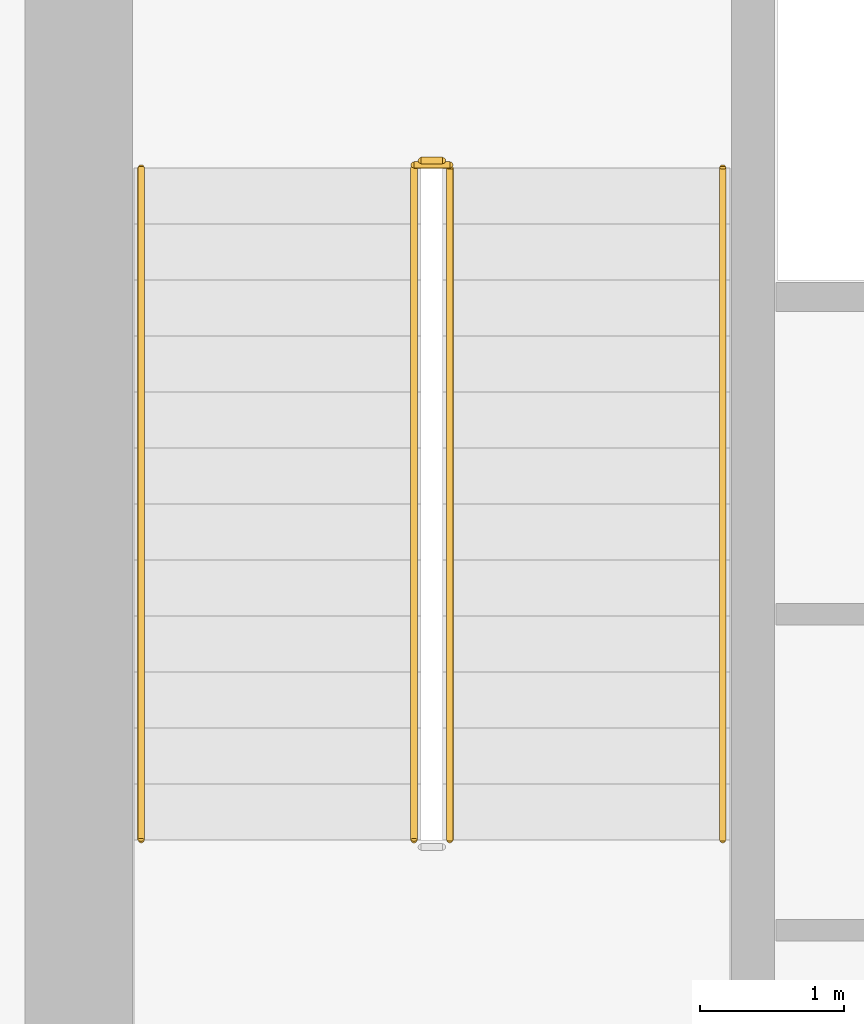
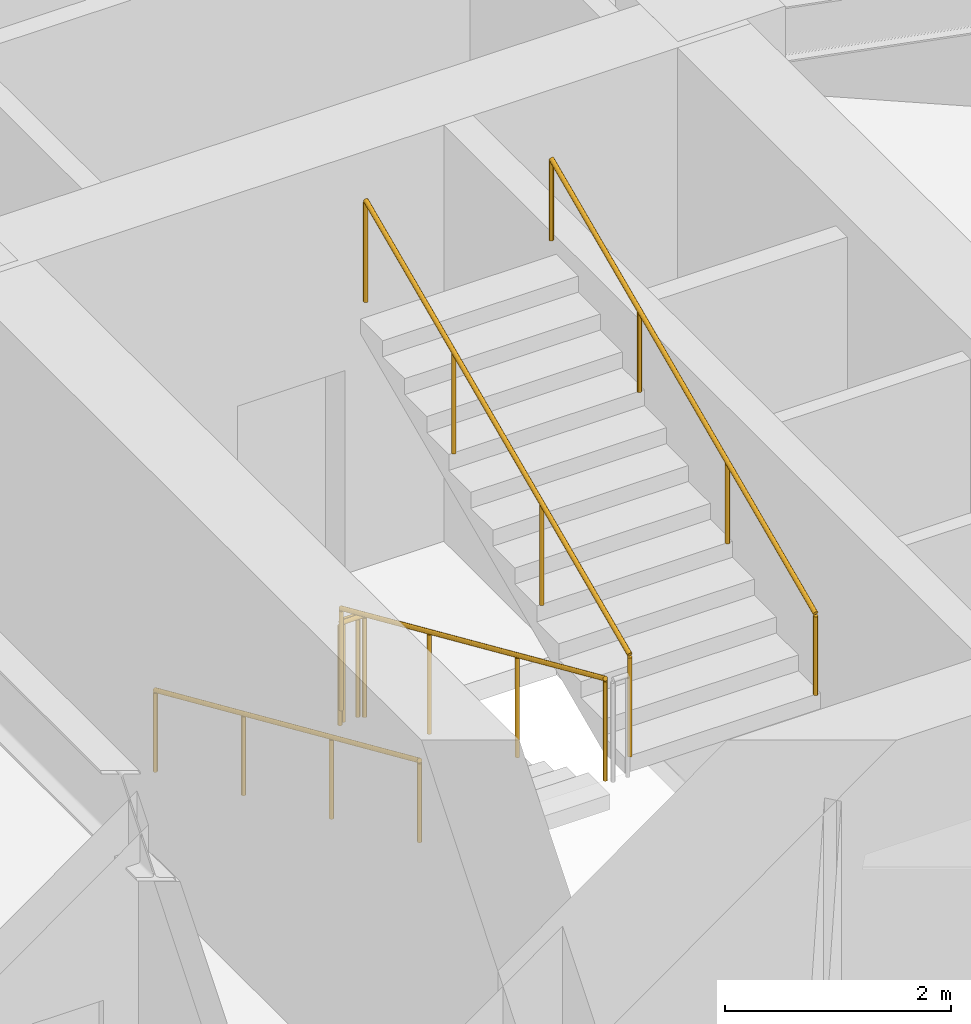
# One storey, part 24 of 27: 6 railings.
"""IFC4 building model written with IfcOpenShell, lengths in metres."""

from ifc_helpers import new_model, si_unit, direction, frame, origin, origin_2d, place, context, subcontext, project, spatial, circle, extrude, material, layer, layer_set, type_object, element, save


model = new_model("IFC4")

# Units and contexts
model_context = context("Model", 3, precision=1e-05, world=origin(), true_north=direction((0.0, 1.0)))
body_context = subcontext(model_context, "Body", "Model", "MODEL_VIEW")
ifc_project = project(units=[si_unit("LENGTHUNIT", "METRE"), si_unit("AREAUNIT", "SQUARE_METRE"), si_unit("VOLUMEUNIT", "CUBIC_METRE"), si_unit("PLANEANGLEUNIT", "RADIAN"), si_unit("MASSUNIT", "GRAM", prefix="KILO")], contexts=[model_context])

# Site, building, storey
site_placement = place(None, origin())
site = spatial("IfcSite", under=ifc_project, at=site_placement, CompositionType="ELEMENT")
building_placement = place(site_placement, origin())
building = spatial("IfcBuilding", under=site, at=building_placement, Name="Hatsunagi Terrace Concourse", CompositionType="ELEMENT")
storey_placement = place(building_placement, frame((0.0, 0.0, 70.10009765625)))
storey = spatial("IfcBuildingStorey", under=building, at=storey_placement, Name="L18", CompositionType="ELEMENT", Elevation=70.10009765625)

# Railings
ifc_material_1 = material(Name="Stainless steel", Category="steel")
ifc_layer_1 = layer(ifc_material_1, 0.044921875)
ifc_layer_set_1 = layer_set([ifc_layer_1], Name="StairPitchHandrail_Tower2000")
railing_type_1 = type_object("IfcRailingType", Name="StairPitchHandrail_Tower2000", PredefinedType="HANDRAIL", material=ifc_layer_set_1)
railing_1_placement = place(storey_placement, frame((36.550048828125, 32.659912109375, 0.173095703125)))
element("IfcRailing", 1, at=railing_1_placement, inside=storey, type_object=railing_type_1, Name="L18 ST-B stair handrail 1", PredefinedType="HANDRAIL", context=body_context, shape_type="SweptSolid", body=[
    extrude(circle(Radius=0.02392578125, at=origin_2d()), frame((0.0, 0.0, 0.8759765625), z_axis=(0.0, -0.914033604373, 0.405638472137), x_axis=(1.0, 0.0, 0.0)), (0.0, 0.0, 1.0), 5.1201171875),
    extrude(circle(Radius=0.02099609375, at=origin_2d()), origin(), (0.0, 0.0, 1.0), 0.851806640625),
    extrude(circle(Radius=0.02099609375, at=origin_2d()), frame((0.0, -1.56005859375, 0.6923828125)), (0.0, 0.0, 1.0), 0.851806640625),
    extrude(circle(Radius=0.02099609375, at=origin_2d()), frame((0.0, -3.119873046875, 1.384521484375)), (0.0, 0.0, 1.0), 0.851806640625),
    extrude(circle(Radius=0.02099609375, at=origin_2d()), frame((0.0, -4.679931640625, 2.076904296875)), (0.0, 0.0, 1.0), 0.851806640625),
])
railing_2_placement = place(storey_placement, frame((40.60009765625, 27.97998046875, 2.423095703125)))
element("IfcRailing", 2, at=railing_2_placement, inside=storey, type_object=railing_type_1, Name="L18 ST-B stair handrail 2", PredefinedType="HANDRAIL", context=body_context, shape_type="SweptSolid", body=[
    extrude(circle(Radius=0.02392578125, at=origin_2d()), frame((0.0, 0.0, 0.8759765625), z_axis=(0.0, 0.914033604373, 0.405638472137), x_axis=(-1.0, 0.0, 0.0)), (0.0, 0.0, 1.0), 5.1201171875),
    extrude(circle(Radius=0.02099609375, at=origin_2d()), origin(), (0.0, 0.0, 1.0), 0.851806640625),
    extrude(circle(Radius=0.02099609375, at=origin_2d()), frame((0.0, 1.56005859375, 0.6923828125)), (0.0, 0.0, 1.0), 0.851806640625),
    extrude(circle(Radius=0.02099609375, at=origin_2d()), frame((0.0, 3.119873046875, 1.384521484375)), (0.0, 0.0, 1.0), 0.851806640625),
    extrude(circle(Radius=0.02099609375, at=origin_2d()), frame((0.0, 4.679931640625, 2.076904296875)), (0.0, 0.0, 1.0), 0.851806640625),
])
ifc_material_2 = material(Name="Stainless steel", Category="steel")
ifc_layer_2 = layer(ifc_material_2, 0.06005859375)
ifc_layer_set_2 = layer_set([ifc_layer_2], Name="StairWellGuard_Tower2000")
railing_type_2 = type_object("IfcRailingType", Name="StairWellGuard_Tower2000", PredefinedType="BALUSTRADE", material=ifc_layer_set_2)
railing_3_placement = place(storey_placement, frame((38.449951171875, 32.659912109375, 0.173095703125)))
element("IfcRailing", 3, at=railing_3_placement, inside=storey, type_object=railing_type_2, Name="L18 ST-B stair guard 1", PredefinedType="BALUSTRADE", context=body_context, shape_type="SweptSolid", body=[
    extrude(circle(Radius=0.02392578125, at=origin_2d()), frame((0.0, 0.0, 1.09619140625), z_axis=(0.0, -0.914033604373, 0.405638472137), x_axis=(1.0, 0.0, 0.0)), (0.0, 0.0, 1.0), 5.1201171875),
    extrude(circle(Radius=0.02099609375, at=origin_2d()), origin(), (0.0, 0.0, 1.0), 1.072021484375),
    extrude(circle(Radius=0.02099609375, at=origin_2d()), frame((0.0, -1.56005859375, 0.6923828125)), (0.0, 0.0, 1.0), 1.072021484375),
    extrude(circle(Radius=0.02099609375, at=origin_2d()), frame((0.0, -3.119873046875, 1.384521484375)), (0.0, 0.0, 1.0), 1.072021484375),
    extrude(circle(Radius=0.02099609375, at=origin_2d()), frame((0.0, -4.679931640625, 2.076904296875)), (0.0, 0.0, 1.0), 1.072021484375),
])
railing_4_placement = place(storey_placement, frame((38.699951171875, 27.97998046875, 2.423095703125)))
element("IfcRailing", 4, at=railing_4_placement, inside=storey, type_object=railing_type_2, Name="L18 ST-B stair guard 3", PredefinedType="BALUSTRADE", context=body_context, shape_type="SweptSolid", body=[
    extrude(circle(Radius=0.02392578125, at=origin_2d()), frame((0.0, 0.0, 1.09619140625), z_axis=(0.0, 0.914033604373, 0.405638472137), x_axis=(-1.0, 0.0, 0.0)), (0.0, 0.0, 1.0), 5.1201171875),
    extrude(circle(Radius=0.02099609375, at=origin_2d()), origin(), (0.0, 0.0, 1.0), 1.072021484375),
    extrude(circle(Radius=0.02099609375, at=origin_2d()), frame((0.0, 1.56005859375, 0.6923828125)), (0.0, 0.0, 1.0), 1.072021484375),
    extrude(circle(Radius=0.02099609375, at=origin_2d()), frame((0.0, 3.119873046875, 1.384521484375)), (0.0, 0.0, 1.0), 1.072021484375),
    extrude(circle(Radius=0.02099609375, at=origin_2d()), frame((0.0, 4.679931640625, 2.076904296875)), (0.0, 0.0, 1.0), 1.072021484375),
])
railing_5_placement = place(storey_placement, frame((38.5, 32.7099609375, 0.0)))
element("IfcRailing", 5, at=railing_5_placement, inside=storey, type_object=railing_type_2, Name="L18 ST-B stair guard 4", PredefinedType="BALUSTRADE", context=body_context, shape_type="SweptSolid", body=[
    extrude(circle(Radius=0.02392578125, at=origin_2d()), frame((0.0, 0.0, 1.09619140625), z_axis=(1.0, 0.0, 0.0), x_axis=(0.0, 1.0, 0.0)), (0.0, 0.0, 1.0), 0.14990234375),
    extrude(circle(Radius=0.02099609375, at=origin_2d()), origin(), (0.0, 0.0, 1.0), 1.072021484375),
    extrude(circle(Radius=0.02099609375, at=origin_2d()), frame((0.14990234375, 0.0, 0.0)), (0.0, 0.0, 1.0), 1.072021484375),
])
ifc_material_3 = material(Name="Stainless Steel SUS316 Post-and-Rail Guard", Category="steel")
ifc_layer_3 = layer(ifc_material_3, 0.080078125)
ifc_layer_set_3 = layer_set([ifc_layer_3], Name="TerracePlantedGuardRail_1200")
railing_type_3 = type_object("IfcRailingType", Name="TerracePlantedGuardRail_1200", PredefinedType="GUARDRAIL", material=ifc_layer_set_3)
railing_6_placement = place(storey_placement, frame((38.449951171875, 32.679931640625, 0.0)))
element("IfcRailing", 6, at=railing_6_placement, inside=storey, type_object=railing_type_3, Name="Stair ST-B Well Closure Guard L18", PredefinedType="GUARDRAIL", context=body_context, shape_type="SweptSolid", body=[
    extrude(circle(Radius=0.02392578125, at=origin_2d()), frame((0.0, 0.0, 1.09619140625), z_axis=(1.0, 0.0, 0.0), x_axis=(0.0, 1.0, 0.0)), (0.0, 0.0, 1.0), 0.25),
    extrude(circle(Radius=0.02099609375, at=origin_2d()), origin(), (0.0, 0.0, 1.0), 1.072021484375),
    extrude(circle(Radius=0.02099609375, at=origin_2d()), frame((0.25, 0.0, 0.0)), (0.0, 0.0, 1.0), 1.072021484375),
])

save(model, "model.ifc")
